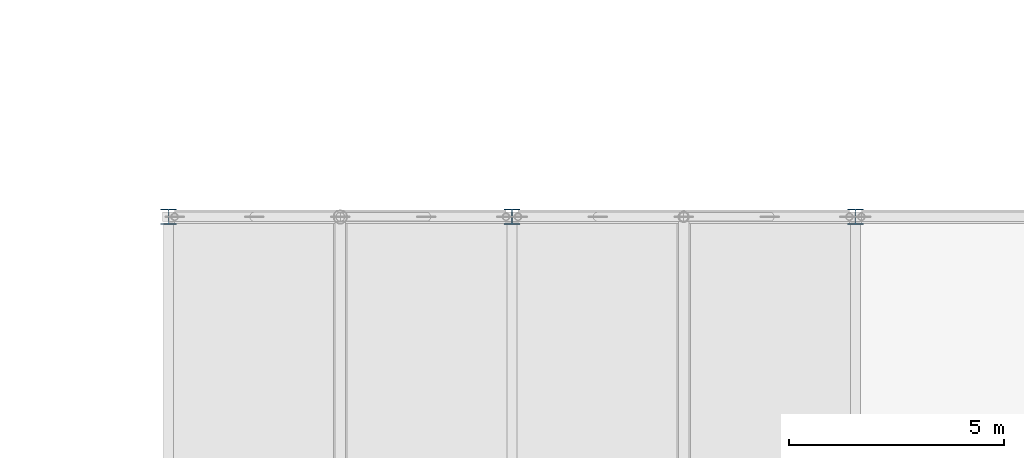
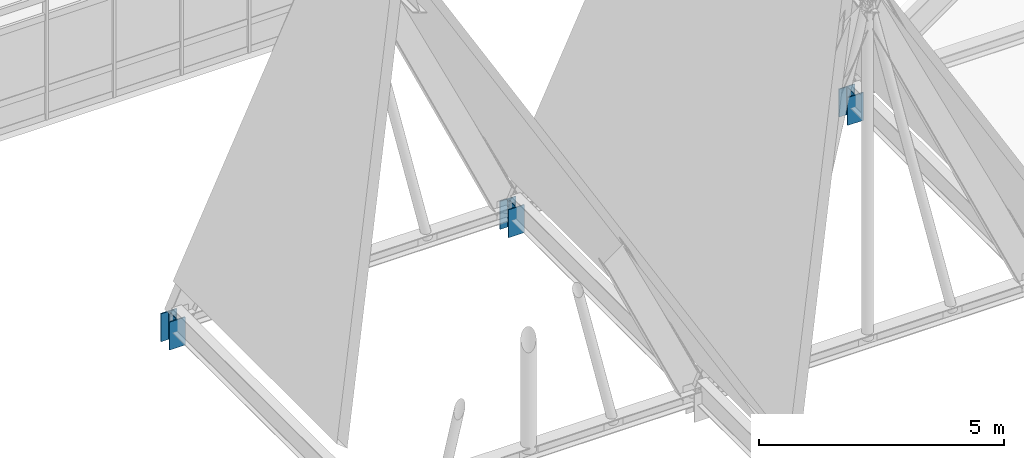
# One storey, part 16 of 85: 3 columns.
"""IFC4 building model written with IfcOpenShell, lengths in metres."""

from ifc_helpers import new_model, si_unit, direction, frame, origin, origin_2d, place, context, subcontext, project, spatial, i_section, extrude, material, material_profile, profile_set, type_object, element, save


model = new_model("IFC4")

# Units and contexts
model_context = context("Model", 3, precision=1e-05, world=origin(), true_north=direction((0.0, 1.0)))
body_context = subcontext(model_context, "Body", "Model", "MODEL_VIEW")
ifc_project = project(units=[si_unit("LENGTHUNIT", "METRE"), si_unit("AREAUNIT", "SQUARE_METRE"), si_unit("VOLUMEUNIT", "CUBIC_METRE"), si_unit("PLANEANGLEUNIT", "RADIAN"), si_unit("MASSUNIT", "GRAM", prefix="KILO")], contexts=[model_context])

# Site, building, storey
site_placement = place(None, origin())
site = spatial("IfcSite", under=ifc_project, at=site_placement, CompositionType="ELEMENT")
building_placement = place(site_placement, origin())
building = spatial("IfcBuilding", under=site, at=building_placement, Name="Zulena Civic Courthouse", CompositionType="ELEMENT")
storey_placement = place(building_placement, frame((0.0, 0.0, 25.199951171875)))
storey = spatial("IfcBuildingStorey", under=building, at=storey_placement, Name="L05", CompositionType="ELEMENT", Elevation=25.199951171875)

# Columns
ifc_material = material(Name="Steel ASTM A992 Grade 50", Category="steel")
ifc_material_profile = material_profile(ifc_material, i_section(OverallWidth=0.373046875, OverallDepth=0.367919921875, WebThickness=0.014892578125, FlangeThickness=0.02392578125, FilletRadius=0.01513671875, at=origin_2d()), Name="W14X120")
ifc_profile_set = profile_set([ifc_material_profile], Name="Steel ASTM A992 Grade 50")
column_type = type_object("IfcColumnType", Name="Col_W14X120", PredefinedType="COLUMN", material=ifc_profile_set)
for number, where, z_axis, x_axis, name in (
    (1, (68.0, 38.0, -0.195068359375), (0.0, 0.0, 1.0), (1.0, 0.0, 0.0), "col:foldV:L05:68.0:38.0"),
    (2, (76.0, 38.0, -0.195068359375), (0.0, 0.0, 1.0), (1.0, 0.0, 0.0), "col:foldV:L05:76.0:38.0"),
    (3, (84.0, 38.0, -0.195068359375), (0.0, 0.0, 1.0), (1.0, 0.0, 0.0), "col:foldV:L05:84.0:38.0"),
):
    element("IfcColumn", number, at=place(storey_placement, frame(where, z_axis=z_axis, x_axis=x_axis)), inside=storey, type_object=column_type, Name=name, PredefinedType="COLUMN", context=body_context, shape_type="SweptSolid", body=[
        extrude(i_section(OverallWidth=0.373046875, OverallDepth=0.367919921875, WebThickness=0.014892578125, FlangeThickness=0.02392578125, FilletRadius=0.01513671875, at=origin_2d()), origin(), (0.0, 0.0, 1.0), 0.697998046875),
    ])

save(model, "model.ifc")
